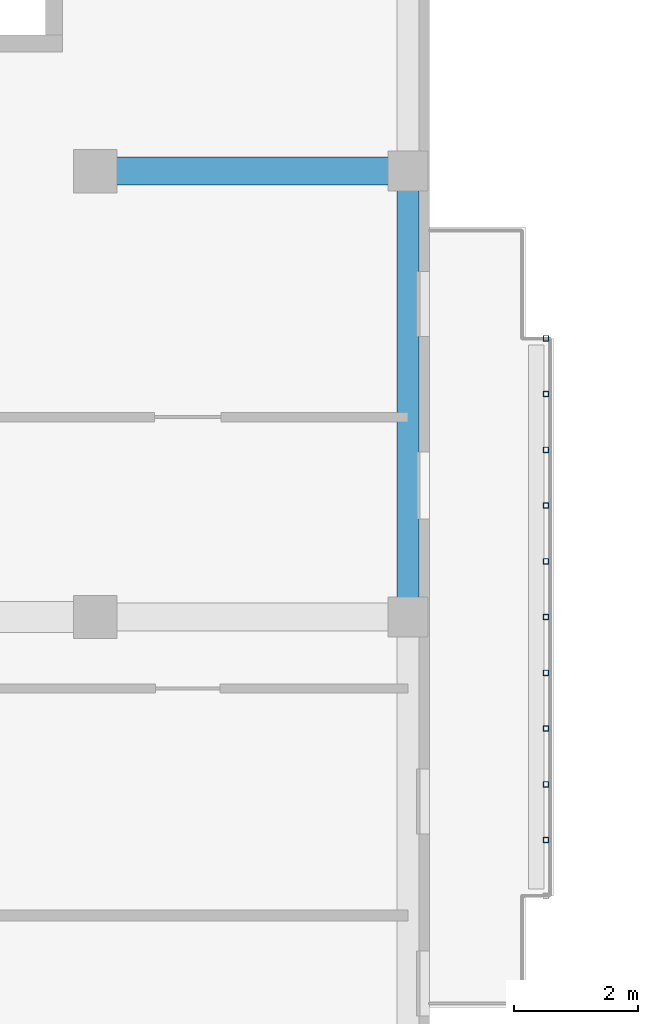
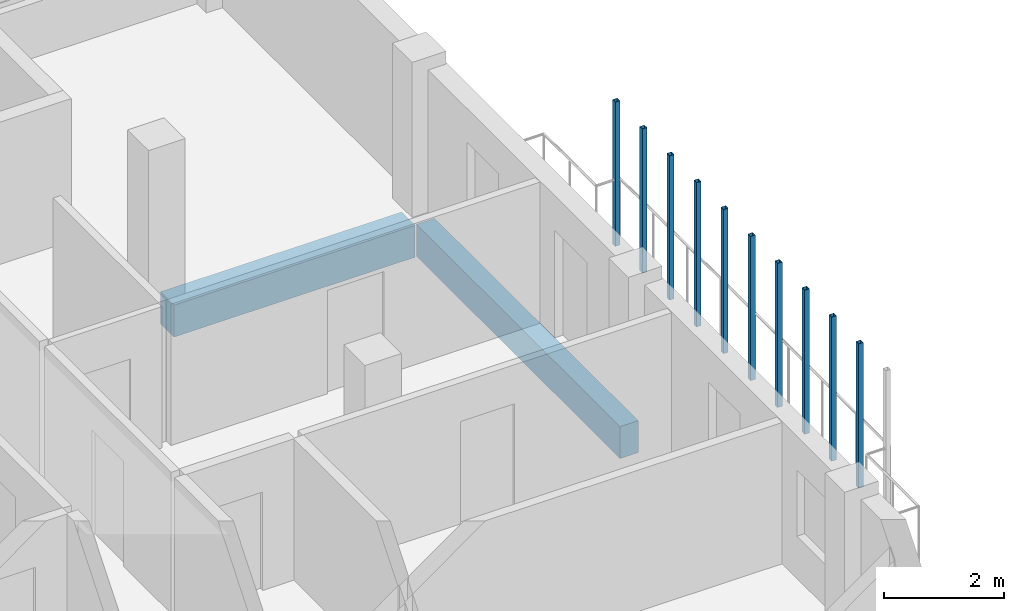
# One storey, part 6 of 51: 10 members, 2 beams.
"""IFC4 building model written with IfcOpenShell, lengths in metres."""

import ifcopenshell
import ifcopenshell.guid

model = None  # the IFC model being written
_history = None  # IfcOwnerHistory: only IFC2X3 demands one
_inside = {}  # id of a spatial element -> (the spatial element, [elements in it])
_under = {}  # id of a project, library or spatial element -> (it, [spatial elements below it])
_declared = {}  # id of a project -> (the project, [libraries it declares])
_typed = {}  # id of a type object -> (the type object, [elements of that type])
_made_of = {}  # id of a material, layer set ... -> (it, [elements and type objects made of it])


def new_model(schema):
    """Start an empty IFC model of exactly this schema.

    Asked for "IFC4X3", IfcOpenShell would pick the latest addendum, in which some entities
    have other attributes; the version numbers below select the first issue.
    IFC2X3 requires an IfcOwnerHistory on every rooted entity: one is made here for all.
    """
    global model, _history
    if schema == "IFC4X3":
        model = ifcopenshell.file(schema_version=(4, 3, 0, 0))
    else:
        model = ifcopenshell.file(schema=schema)
    _inside.clear()
    _under.clear()
    _declared.clear()
    _typed.clear()
    _made_of.clear()
    _history = None
    if model.schema == "IFC2X3":
        org = make("IfcOrganization", Name="unknown")
        user = make(
            "IfcPersonAndOrganization",
            ThePerson=make("IfcPerson", FamilyName="unknown"),
            TheOrganization=org,
        )
        app = make(
            "IfcApplication",
            ApplicationDeveloper=org,
            Version="unknown",
            ApplicationFullName="unknown",
            ApplicationIdentifier="unknown",
        )
        _history = make(
            "IfcOwnerHistory",
            OwningUser=user,
            OwningApplication=app,
            ChangeAction="ADDED",
            CreationDate=0,
        )
    return model


def make(cls, **values):
    """One entity of the class cls with the attributes given. An attribute that is None is left unset."""
    return model.create_entity(
        cls, **{name: value for name, value in values.items() if value is not None}
    )


def rooted(cls, **values):
    """An entity with a GlobalId (a new one), such as an element, a storey or a relation."""
    return make(cls, GlobalId=ifcopenshell.guid.new(), OwnerHistory=_history, **values)


def si_unit(unit_type, name, prefix=None):
    """IfcSIUnit, for example si_unit("LENGTHUNIT", "METRE", prefix="MILLI")."""
    return make("IfcSIUnit", UnitType=unit_type, Prefix=prefix, Name=name)


def derived_unit(unit_type, elements):
    """IfcDerivedUnit: a product of units, each with its exponent."""
    return make(
        "IfcDerivedUnit",
        Elements=[
            make("IfcDerivedUnitElement", Unit=unit, Exponent=power)
            for unit, power in elements
        ],
        UnitType=unit_type,
    )


def assignment(units):
    """IfcUnitAssignment: the units of a project."""
    return None if units is None else make("IfcUnitAssignment", Units=units)


def point(xyz):
    """IfcCartesianPoint."""
    return None if xyz is None else make("IfcCartesianPoint", Coordinates=xyz)


def direction(xyz):
    """IfcDirection."""
    return None if xyz is None else make("IfcDirection", DirectionRatios=xyz)


def frame(location, z_axis=None, x_axis=None):
    """IfcAxis2Placement3D, a coordinate frame: its origin and axes. An axis left out is left unset."""
    return make(
        "IfcAxis2Placement3D",
        Location=point(location),
        Axis=direction(z_axis),
        RefDirection=direction(x_axis),
    )


def frame_2d(location, x_axis=None):
    """IfcAxis2Placement2D, a coordinate frame in the plane: its origin and x axis."""
    return make(
        "IfcAxis2Placement2D", Location=point(location), RefDirection=direction(x_axis)
    )


def origin():
    """The frame at (0, 0, 0) with its axes left unset."""
    return frame((0.0, 0.0, 0.0))


def origin_2d():
    """The frame at (0, 0) in the plane with its x axis left unset."""
    return frame_2d((0.0, 0.0))


def place(relative_to, where):
    """IfcLocalPlacement: puts the frame where relative to a parent placement (None: the world)."""
    return make(
        "IfcLocalPlacement", PlacementRelTo=relative_to, RelativePlacement=where
    )


def context(
    kind, dimensions, precision=None, world=None, true_north=None, identifier=None
):
    """IfcGeometricRepresentationContext, for example the 3D "Model" context."""
    return make(
        "IfcGeometricRepresentationContext",
        ContextIdentifier=identifier,
        ContextType=kind,
        CoordinateSpaceDimension=dimensions,
        Precision=precision,
        WorldCoordinateSystem=world,
        TrueNorth=true_north,
    )


def subcontext(parent, identifier, kind, view, scale=None):
    """IfcGeometricRepresentationSubContext, for example "Body" below "Model"."""
    return make(
        "IfcGeometricRepresentationSubContext",
        ContextIdentifier=identifier,
        ContextType=kind,
        ParentContext=parent,
        TargetScale=scale,
        TargetView=view,
    )


def project(units=None, contexts=None):
    """IfcProject with its units and contexts."""
    return rooted(
        "IfcProject",
        Name="project",
        RepresentationContexts=contexts,
        UnitsInContext=assignment(units),
    )


def spatial(cls, under=None, at=None, **own):
    """A site, building, storey or space (cls), placed at a placement, below another one or the project."""
    s = rooted(cls, ObjectPlacement=at, **own)
    if under is not None:
        _under.setdefault(under.id(), (under, []))[1].append(s)
    return s


def profile(cls, at=None, kind="AREA", **sizes):
    """A parametric profile (cls). Its sizes go by their IFC names, for example OverallWidth=200.0."""
    return make(cls, ProfileType=kind, Position=at, **sizes)


def rectangle(**sizes):
    """IfcRectangleProfileDef."""
    return profile("IfcRectangleProfileDef", **sizes)


def hollow_rectangle(**sizes):
    """IfcRectangleHollowProfileDef."""
    return profile("IfcRectangleHollowProfileDef", **sizes)


def extrude(swept, where, along, depth):
    """IfcExtrudedAreaSolid: the profile swept, set in the frame where, extruded along a direction by depth."""
    return make(
        "IfcExtrudedAreaSolid",
        SweptArea=swept,
        Position=where,
        ExtrudedDirection=direction(along),
        Depth=depth,
    )


def shape(context_of_items, identifier, shape_type, items):
    """IfcShapeRepresentation: the items that make up one representation, for example the "Body"."""
    return make(
        "IfcShapeRepresentation",
        ContextOfItems=context_of_items,
        RepresentationIdentifier=identifier,
        RepresentationType=shape_type,
        Items=items,
    )


def material(Name=None, Category=None):
    """IfcMaterial."""
    return make("IfcMaterial", Name=Name, Category=Category)


def material_profile(
    of_material, cross_section, Name=None, Category=None, Priority=None
):
    """IfcMaterialProfile: a cross section and its material."""
    return make(
        "IfcMaterialProfile",
        Name=Name,
        Material=of_material,
        Profile=cross_section,
        Priority=Priority,
        Category=Category,
    )


def profile_set(profiles, Name=None, composite=None):
    """IfcMaterialProfileSet."""
    return make(
        "IfcMaterialProfileSet",
        Name=Name,
        MaterialProfiles=profiles,
        CompositeProfile=composite,
    )


def made_of(thing, what):
    """Note that an element or type object is made of a material, layer set ...; save() writes the relation."""
    if what is not None:
        _made_of.setdefault(what.id(), (what, []))[1].append(thing)
    return thing


def type_object(cls, material=None, **own):
    """A type object (cls), such as IfcWallType, which elements share."""
    return made_of(rooted(cls, **own), material)


def element(
    cls,
    number,
    at=None,
    inside=None,
    cuts=None,
    type_object=None,
    material=None,
    context=None,
    identifier="Body",
    shape_type=None,
    held_by="IfcProductDefinitionShape",
    body=None,
    shapes=None,
    **own,
):
    """One element of the class cls, such as IfcWall. Its Tag is "e" and its number.

    at: its placement. inside: the storey or other place that contains it. cuts: it is an
    opening in that element (IfcRelVoidsElement). A single representation is given by context,
    identifier, shape_type and body (its items); several are given by shapes. held_by: the class
    of the entity that holds the representations. save() writes the other relations.
    """
    e = rooted(cls, Tag="e%d" % number, ObjectPlacement=at, **own)
    if body is not None:
        shapes = [shape(context, identifier, shape_type, body)]
    if shapes is not None:
        e.Representation = make(held_by, Representations=shapes)
    if inside is not None:
        _inside.setdefault(inside.id(), (inside, []))[1].append(e)
    if cuts is not None:
        rooted(
            "IfcRelVoidsElement", RelatingBuildingElement=cuts, RelatedOpeningElement=e
        )
    if type_object is not None:
        _typed.setdefault(type_object.id(), (type_object, []))[1].append(e)
    return made_of(e, material)


def aggregate(whole, parts):
    """IfcRelAggregates: a whole, such as a stair, and the parts it consists of."""
    return rooted("IfcRelAggregates", RelatingObject=whole, RelatedObjects=parts)


def save(model, path):
    """Write the relations noted so far, then the file.

    IfcRelAggregates (storeys below a building ...), IfcRelContainedInSpatialStructure (elements
    in a storey), IfcRelDefinesByType, IfcRelAssociatesMaterial and IfcRelDeclares: one each for
    every whole, place, type object, material and project.
    """
    for whole, parts in _under.values():
        aggregate(whole, parts)
    for where, things in _inside.values():
        rooted(
            "IfcRelContainedInSpatialStructure",
            RelatedElements=things,
            RelatingStructure=where,
        )
    for kind, things in _typed.values():
        rooted("IfcRelDefinesByType", RelatedObjects=things, RelatingType=kind)
    for what, things in _made_of.values():
        rooted("IfcRelAssociatesMaterial", RelatedObjects=things, RelatingMaterial=what)
    for by, libraries in _declared.values():
        rooted("IfcRelDeclares", RelatingContext=by, RelatedDefinitions=libraries)
    model.write(path)


model = new_model("IFC4")

# Units and contexts
model_context = context("Model", 3, precision=1e-05, world=origin(), true_north=direction((0.0, 1.0)))
body_context = subcontext(model_context, "Body", "Model", "MODEL_VIEW")
ifc_project = project(units=[si_unit("LENGTHUNIT", "METRE"), si_unit("AREAUNIT", "SQUARE_METRE"), si_unit("VOLUMEUNIT", "CUBIC_METRE"), si_unit("PLANEANGLEUNIT", "RADIAN"), si_unit("MASSUNIT", "GRAM", prefix="KILO"), derived_unit("THERMALTRANSMITTANCEUNIT", [(si_unit("MASSUNIT", "GRAM", prefix="KILO"), 1), (si_unit("TIMEUNIT", "SECOND"), -3), (si_unit("THERMODYNAMICTEMPERATUREUNIT", "KELVIN"), -1)])], contexts=[model_context])

# Site, building, storey
site_placement = place(None, origin())
site = spatial("IfcSite", under=ifc_project, at=site_placement, CompositionType="ELEMENT")
building_placement = place(site_placement, origin())
building = spatial("IfcBuilding", under=site, at=building_placement, Name="Ochrekiln Boulevard Commons", CompositionType="ELEMENT")
storey_placement = place(building_placement, frame((0.0, 0.0, 18.375)))
storey = spatial("IfcBuildingStorey", under=building, at=storey_placement, Name="L05", CompositionType="ELEMENT", Elevation=18.375)

# Beam
ifc_material_1 = material(Name="Concrete C35/45", Category="concrete")
ifc_material_profile_1 = material_profile(ifc_material_1, rectangle(XDim=0.449951171875, YDim=0.64990234375, at=origin_2d()), Name="RC-BM-450x650")
ifc_profile_set_1 = profile_set([ifc_material_profile_1], Name="Concrete C35/45")
beam_type_1 = type_object("IfcBeamType", Name="BM-RC-450x650", PredefinedType="BEAM", material=ifc_profile_set_1)
beam_1_placement = place(storey_placement, frame((16.409912109375, 43.199951171875, -0.5849609375), z_axis=(1.0, 0.0, 0.0), x_axis=(0.0, 1.0, 0.0)))
element("IfcBeam", 1, at=beam_1_placement, inside=storey, type_object=beam_type_1, Name="Block D L05 Beam B-4565 X19", PredefinedType="BEAM", context=body_context, shape_type="SweptSolid", body=[
    extrude(rectangle(XDim=0.449951171875, YDim=0.64990234375, at=origin_2d()), origin(), (0.0, 0.0, 1.0), 4.630126953125),
])

# Members
ifc_material_2 = material(Name="Steel A500 Grade C", Category="steel")
ifc_material_profile_2 = material_profile(ifc_material_2, hollow_rectangle(XDim=0.090087890625, YDim=0.090087890625, WallThickness=0.00634765625, at=origin_2d()), Name="HSS90X90X6.4")
ifc_profile_set_2 = profile_set([ifc_material_profile_2], Name="Steel A500 Grade C")
member_type = type_object("IfcMemberType", Name="MEM-PST-HSS90", PredefinedType="POST", material=ifc_profile_set_2)
for number, where, z_axis, x_axis, name in (
    (2, (23.47998046875, 32.39990234375, 0.0), (0.0, 0.0, 1.0), (1.0, 0.0, 0.0), "Block D L05 Slim Vertical Balcony Post (387)"),
    (3, (23.47998046875, 33.300048828125, 0.0), (0.0, 0.0, 1.0), (1.0, 0.0, 0.0), "Block D L05 Slim Vertical Balcony Post (388)"),
    (4, (23.47998046875, 34.199951171875, 0.0), (0.0, 0.0, 1.0), (1.0, 0.0, 0.0), "Block D L05 Slim Vertical Balcony Post (389)"),
    (5, (23.47998046875, 35.10009765625, 0.0), (0.0, 0.0, 1.0), (1.0, 0.0, 0.0), "Block D L05 Slim Vertical Balcony Post (390)"),
    (6, (23.47998046875, 36.0, 0.0), (0.0, 0.0, 1.0), (1.0, 0.0, 0.0), "Block D L05 Slim Vertical Balcony Post (391)"),
    (7, (23.47998046875, 36.89990234375, 0.0), (0.0, 0.0, 1.0), (1.0, 0.0, 0.0), "Block D L05 Slim Vertical Balcony Post (392)"),
    (8, (23.47998046875, 37.800048828125, 0.0), (0.0, 0.0, 1.0), (1.0, 0.0, 0.0), "Block D L05 Slim Vertical Balcony Post (393)"),
    (9, (23.47998046875, 38.699951171875, 0.0), (0.0, 0.0, 1.0), (1.0, 0.0, 0.0), "Block D L05 Slim Vertical Balcony Post (394)"),
    (10, (23.47998046875, 39.60009765625, 0.0), (0.0, 0.0, 1.0), (1.0, 0.0, 0.0), "Block D L05 Slim Vertical Balcony Post (395)"),
    (11, (23.47998046875, 40.5, 0.0), (0.0, 0.0, 1.0), (1.0, 0.0, 0.0), "Block D L05 Slim Vertical Balcony Post (396)"),
):
    element("IfcMember", number, at=place(storey_placement, frame(where, z_axis=z_axis, x_axis=x_axis)), inside=storey, type_object=member_type, Name=name, PredefinedType="POST", context=body_context, shape_type="SweptSolid", body=[
        extrude(hollow_rectangle(XDim=0.090087890625, YDim=0.090087890625, WallThickness=0.00634765625, at=origin_2d()), origin(), (0.0, 0.0, 1.0), 2.929931640625),
    ])

# Beam
ifc_material_3 = material(Name="Concrete C40/50", Category="concrete")
ifc_material_profile_3 = material_profile(ifc_material_3, rectangle(XDim=0.35009765625, YDim=0.64990234375, at=origin_2d()), Name="RC-SPN-350x650")
ifc_profile_set_3 = profile_set([ifc_material_profile_3], Name="Concrete C40/50")
beam_type_2 = type_object("IfcBeamType", Name="SPN-RC-350x650", PredefinedType="SPANDREL", material=ifc_profile_set_3)
beam_2_placement = place(storey_placement, frame((21.25, 36.2099609375, -0.5849609375), z_axis=(0.0, 1.0, 0.0), x_axis=(-1.0, 0.0, 0.0)))
element("IfcBeam", 12, at=beam_2_placement, inside=storey, type_object=beam_type_2, Name="Block D L05 Beam SP-3565 Y35", PredefinedType="SPANDREL", context=body_context, shape_type="SweptSolid", body=[
    extrude(rectangle(XDim=0.35009765625, YDim=0.64990234375, at=origin_2d()), origin(), (0.0, 0.0, 1.0), 6.780029296875),
])

save(model, "model.ifc")
